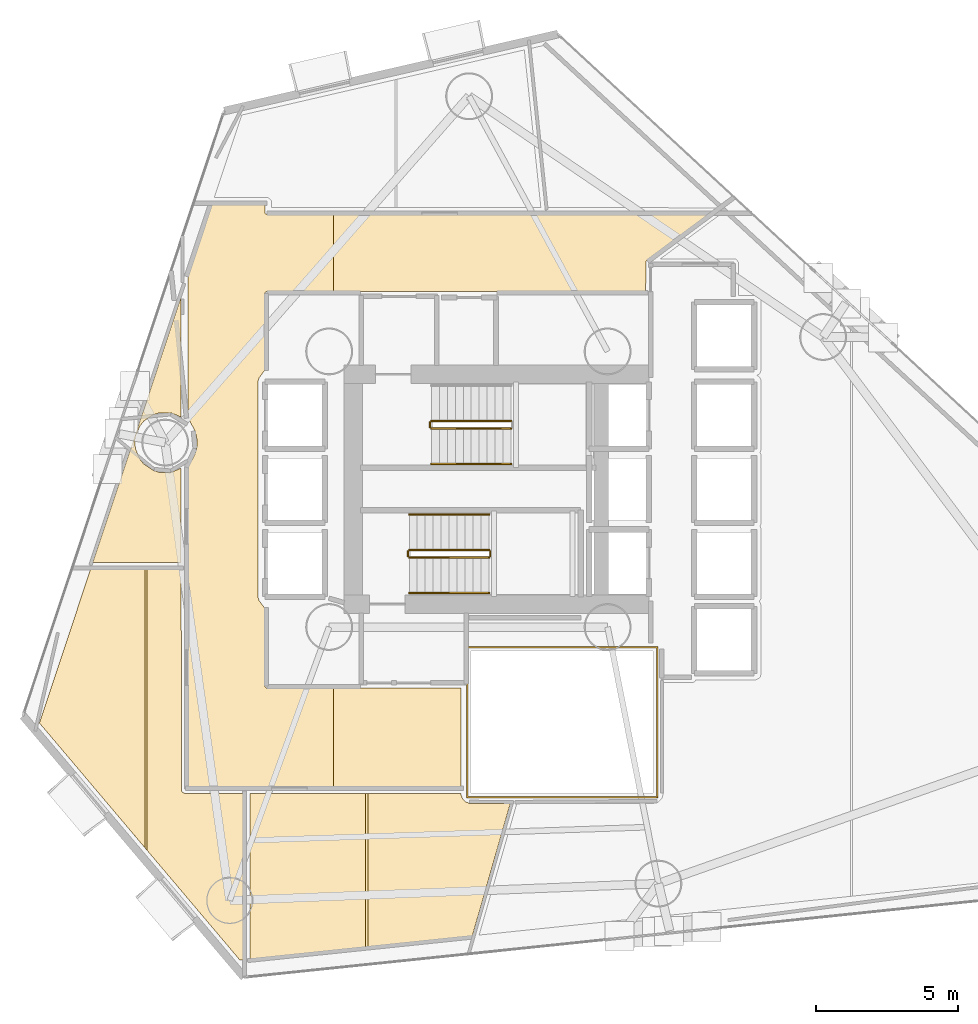
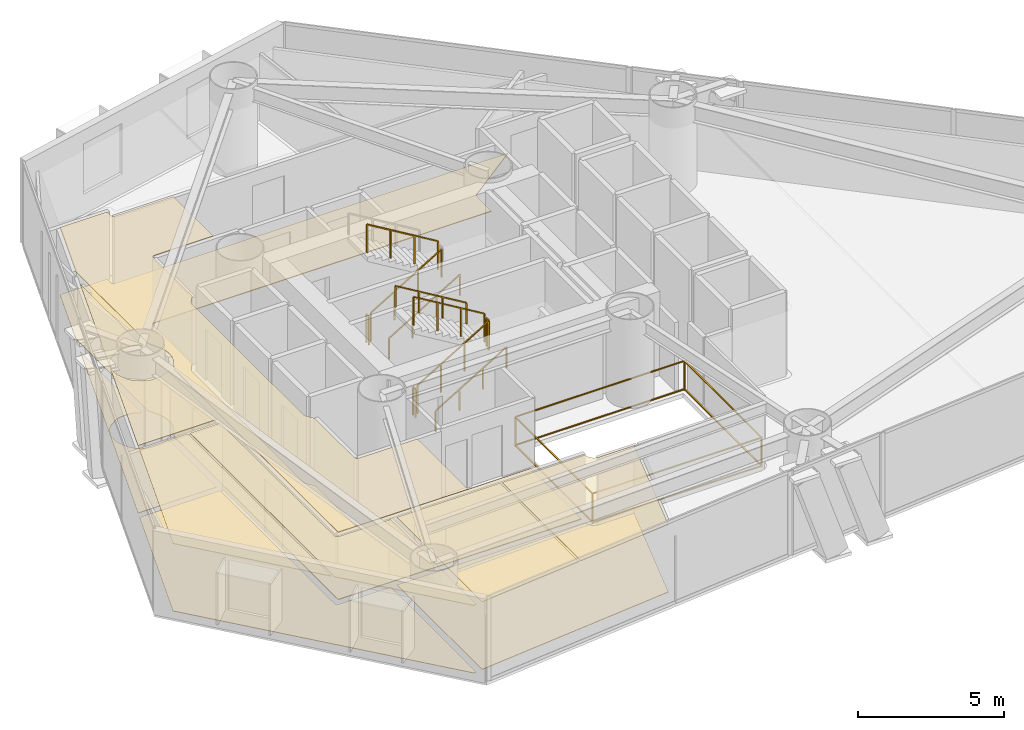
# One storey, part 21 of 23: 11 railings, 10 coverings.
"""IFC4 building model written with IfcOpenShell, lengths in metres."""

from ifc_helpers import new_model, si_unit, direction, frame, origin, origin_2d, place, context, subcontext, project, spatial, polyline, rectangle, outline, extrude, material, layer, layer_set, type_object, element, save


model = new_model("IFC4")

# Units and contexts
model_context = context("Model", 3, precision=1e-05, world=origin(), true_north=direction((0.0, 1.0)))
body_context = subcontext(model_context, "Body", "Model", "MODEL_VIEW")
ifc_project = project(units=[si_unit("LENGTHUNIT", "METRE"), si_unit("AREAUNIT", "SQUARE_METRE"), si_unit("VOLUMEUNIT", "CUBIC_METRE"), si_unit("PLANEANGLEUNIT", "RADIAN"), si_unit("MASSUNIT", "GRAM", prefix="KILO")], contexts=[model_context])

# Site, building, storey
site_placement = place(None, origin())
site = spatial("IfcSite", under=ifc_project, at=site_placement, CompositionType="ELEMENT")
building_placement = place(site_placement, origin())
building = spatial("IfcBuilding", under=site, at=building_placement, Name="Qianvela Tower", CompositionType="ELEMENT")
storey_placement = place(building_placement, frame((0.0, 0.0, 67.300048828125)))
storey = spatial("IfcBuildingStorey", under=building, at=storey_placement, Name="L16", CompositionType="ELEMENT", Elevation=67.300048828125)

# Coverings
ifc_material_1 = material(Name="Perforated Mineral Acoustic Ceiling Tile")
ifc_layer_1 = layer(ifc_material_1, 0.02490234375)
ifc_layer_set_1 = layer_set([ifc_layer_1], Name="Perforated Mineral Acoustic Ceiling Tile")
covering_type_1 = type_object("IfcCoveringType", Name="COV-CEIL-ACOUSTIC-25", PredefinedType="CEILING", material=ifc_layer_set_1)
covering_1_placement = place(storey_placement, frame((0.0, 0.0, 2.81494140625)))
element("IfcCovering", 1, at=covering_1_placement, inside=storey, type_object=covering_type_1, Name="L16 Acoustic Ceiling Bay 1 L16 Floor Corridor", PredefinedType="CEILING", context=body_context, shape_type="SweptSolid", body=[
    extrude(outline(polyline([(23.868408203125, 30.7705078125), (23.864990234375, 30.777587890625), (23.6298828125, 31.21728515625), (23.6298828125, 36.183837890625), (24.4736328125, 38.719970703125), (26.340087890625, 38.719970703125), (26.340087890625, 38.449951171875), (26.34033203125, 38.442138671875), (26.341552734375, 38.434326171875), (26.343505859375, 38.4267578125), (26.34619140625, 38.41943359375), (26.349365234375, 38.412353515625), (26.353515625, 38.405517578125), (26.358154296875, 38.399169921875), (26.36328125, 38.393310546875), (26.369140625, 38.38818359375), (26.37548828125, 38.383544921875), (26.38232421875, 38.37939453125), (26.389404296875, 38.376220703125), (26.396728515625, 38.373291015625), (26.404296875, 38.37158203125), (26.412109375, 38.370361328125), (26.419921875, 38.3701171875), (28.75390625, 38.3701171875), (28.75390625, 35.659912109375), (26.419921875, 35.659912109375), (26.412109375, 35.65966796875), (26.404296875, 35.658447265625), (26.396728515625, 35.656494140625), (26.389404296875, 35.65380859375), (26.38232421875, 35.650634765625), (26.37548828125, 35.646484375), (26.369140625, 35.641845703125), (26.36328125, 35.63671875), (26.358154296875, 35.630859375), (26.353515625, 35.62451171875), (26.349365234375, 35.61767578125), (26.34619140625, 35.610595703125), (26.343505859375, 35.603271484375), (26.341552734375, 35.595703125), (26.34033203125, 35.587890625), (26.340087890625, 35.580078125), (26.340087890625, 32.89599609375), (26.139404296875, 32.62548828125), (26.135498046875, 32.61962890625), (26.132080078125, 32.61376953125), (26.12939453125, 32.607421875), (26.126953125, 32.60107421875), (26.103515625, 32.523193359375), (26.1015625, 32.515625), (26.100341796875, 32.5078125), (26.10009765625, 32.5), (26.10009765625, 24.89990234375), (26.100341796875, 24.89208984375), (26.1015625, 24.884521484375), (26.103515625, 24.876708984375), (26.126953125, 24.799072265625), (26.12939453125, 24.79248046875), (26.132080078125, 24.786376953125), (26.135498046875, 24.7802734375), (26.139404296875, 24.774658203125), (26.340087890625, 24.50390625), (26.340087890625, 21.780029296875), (26.34033203125, 21.772216796875), (26.341552734375, 21.764404296875), (26.343505859375, 21.7568359375), (26.34619140625, 21.74951171875), (26.349365234375, 21.7421875), (26.353515625, 21.735595703125), (26.358154296875, 21.729248046875), (26.36328125, 21.723388671875), (26.369140625, 21.71826171875), (26.37548828125, 21.71337890625), (26.38232421875, 21.70947265625), (26.389404296875, 21.7060546875), (26.396728515625, 21.703369140625), (26.404296875, 21.701416015625), (26.412109375, 21.700439453125), (26.419921875, 21.699951171875), (28.75390625, 21.699951171875), (28.75390625, 18.22998046875), (23.6298828125, 18.22998046875), (23.6298828125, 29.462646484375), (23.864990234375, 29.90234375), (23.868408203125, 29.909423828125), (23.87109375, 29.9169921875), (23.930419921875, 30.11279296875), (23.932373046875, 30.12060546875), (23.93359375, 30.12841796875), (23.95361328125, 30.332275390625), (23.9541015625, 30.340087890625), (23.95361328125, 30.347900390625), (23.93359375, 30.5517578125), (23.932373046875, 30.5595703125), (23.930419921875, 30.567138671875), (23.87109375, 30.76318359375), (23.868408203125, 30.7705078125)])), origin(), (0.0, 0.0, 1.0), 0.02490234375),
])
covering_2_placement = place(storey_placement, frame((0.0, 0.0, 2.81494140625)))
element("IfcCovering", 2, at=covering_2_placement, inside=storey, type_object=covering_type_1, Name="L16 Acoustic Ceiling Bay 1 Debate Lecture Classroom L16-01", PredefinedType="CEILING", context=body_context, shape_type="SweptSolid", body=[
    extrude(outline(polyline([(18.4033203125, 20.472412109375), (20.20166015625, 25.8779296875), (22.115966796875, 25.8779296875), (22.115966796875, 16.081298828125), (18.4033203125, 20.472412109375)])), origin(), (0.0, 0.0, 1.0), 0.02490234375),
])
covering_3_placement = place(storey_placement, frame((0.0, 0.0, 2.81494140625)))
element("IfcCovering", 3, at=covering_3_placement, inside=storey, type_object=covering_type_1, Name="L16 Acoustic Ceiling Bay 2 Debate Lecture Classroom L16-01", PredefinedType="CEILING", context=body_context, shape_type="SweptSolid", body=[
    extrude(outline(polyline([(23.408203125, 18.09912109375), (23.40869140625, 18.0908203125), (23.409912109375, 18.082763671875), (23.412109375, 18.074951171875), (23.414794921875, 18.067138671875), (23.41845703125, 18.059814453125), (23.4228515625, 18.052978515625), (23.427978515625, 18.04638671875), (23.43359375, 18.040771484375), (23.43994140625, 18.035400390625), (23.44677734375, 18.03076171875), (23.4541015625, 18.02685546875), (23.515869140625, 17.997802734375), (23.52392578125, 17.994384765625), (23.532470703125, 17.991943359375), (23.541259765625, 17.990478515625), (23.550048828125, 17.989990234375), (25.569580078125, 17.989990234375), (25.569580078125, 12.14208984375), (25.456298828125, 12.13037109375), (22.196044921875, 15.986572265625), (22.196044921875, 25.8779296875), (23.39013671875, 25.8779296875), (23.408203125, 18.09912109375)])), origin(), (0.0, 0.0, 1.0), 0.02490234375),
])
covering_4_placement = place(storey_placement, frame((0.0, 0.0, 2.81494140625)))
element("IfcCovering", 4, at=covering_4_placement, inside=storey, type_object=covering_type_1, Name="L16 Acoustic Ceiling Bay 1 Graduate Seminar Classroom L16-02", PredefinedType="CEILING", context=body_context, shape_type="SweptSolid", body=[
    extrude(outline(polyline([(25.813720703125, 12.16748046875), (25.813720703125, 17.989990234375), (29.885009765625, 17.989990234375), (29.885009765625, 12.592041015625), (25.813720703125, 12.16748046875)])), origin(), (0.0, 0.0, 1.0), 0.02490234375),
])
covering_5_placement = place(storey_placement, frame((0.0, 0.0, 2.81494140625)))
element("IfcCovering", 5, at=covering_5_placement, inside=storey, type_object=covering_type_1, Name="L16 Acoustic Ceiling Bay 2 Graduate Seminar Classroom L16-02", PredefinedType="CEILING", context=body_context, shape_type="SweptSolid", body=[
    extrude(outline(polyline([(33.24609375, 17.93505859375), (33.247314453125, 17.927978515625), (33.2490234375, 17.92138671875), (33.25146484375, 17.914794921875), (33.293212890625, 17.813720703125), (33.296630859375, 17.806640625), (33.30078125, 17.800048828125), (33.305419921875, 17.793701171875), (33.310546875, 17.787841796875), (33.387939453125, 17.710693359375), (33.393798828125, 17.705322265625), (33.39990234375, 17.70068359375), (33.40673828125, 17.696533203125), (33.413818359375, 17.693359375), (33.514892578125, 17.651611328125), (33.522216796875, 17.648681640625), (33.529541015625, 17.64697265625), (33.537353515625, 17.645751953125), (33.545166015625, 17.6455078125), (34.97607421875, 17.640380859375), (33.640625, 12.98388671875), (29.965087890625, 12.6005859375), (29.965087890625, 17.989990234375), (33.243408203125, 17.989990234375), (33.24560546875, 17.94189453125), (33.24609375, 17.93505859375)])), origin(), (0.0, 0.0, 1.0), 0.02490234375),
])
covering_6_placement = place(storey_placement, frame((0.0, 0.0, 2.81494140625)))
element("IfcCovering", 6, at=covering_6_placement, inside=storey, type_object=covering_type_1, Name="L16 Acoustic Ceiling Campus Convenience Shop L16-05", PredefinedType="CEILING", context=body_context, shape_type="SweptSolid", body=[
    extrude(outline(polyline([(23.390380859375, 29.440185546875), (23.389892578125, 26.1220703125), (20.28271484375, 26.1220703125), (23.389892578125, 35.46240234375), (23.390380859375, 31.23974609375), (23.0517578125, 31.3798828125), (23.04443359375, 31.382568359375), (23.036865234375, 31.384521484375), (23.029052734375, 31.3857421875), (23.021240234375, 31.385986328125), (22.63671875, 31.385986328125), (22.62890625, 31.3857421875), (22.62109375, 31.384521484375), (22.613525390625, 31.382568359375), (22.4287109375, 31.32666015625), (22.42138671875, 31.323974609375), (22.414306640625, 31.320556640625), (22.40771484375, 31.31640625), (22.088134765625, 31.10302734375), (22.081787109375, 31.098388671875), (22.075927734375, 31.093017578125), (22.07080078125, 31.08740234375), (21.9482421875, 30.93798828125), (21.943603515625, 30.931640625), (21.939453125, 30.9248046875), (21.93603515625, 30.91796875), (21.7890625, 30.562744140625), (21.786376953125, 30.555419921875), (21.784423828125, 30.5478515625), (21.783203125, 30.5400390625), (21.764404296875, 30.347900390625), (21.763916015625, 30.340087890625), (21.764404296875, 30.332275390625), (21.783203125, 30.139892578125), (21.784423828125, 30.132080078125), (21.786376953125, 30.12451171875), (21.7890625, 30.1171875), (21.93603515625, 29.76220703125), (21.939453125, 29.755126953125), (21.943603515625, 29.748291015625), (21.9482421875, 29.741943359375), (22.07080078125, 29.5927734375), (22.075927734375, 29.5869140625), (22.081787109375, 29.581787109375), (22.088134765625, 29.576904296875), (22.40771484375, 29.363525390625), (22.414306640625, 29.359375), (22.42138671875, 29.356201171875), (22.4287109375, 29.353515625), (22.613525390625, 29.29736328125), (22.62109375, 29.29541015625), (22.62890625, 29.294189453125), (22.63671875, 29.2939453125), (23.021240234375, 29.2939453125), (23.029052734375, 29.294189453125), (23.036865234375, 29.29541015625), (23.04443359375, 29.29736328125), (23.0517578125, 29.300048828125), (23.390380859375, 29.440185546875)])), origin(), (0.0, 0.0, 1.0), 0.02490234375),
])
ifc_material_2 = material(Name="Engineered Acoustic Oak Timber Flooring", Category="wood")
ifc_layer_2 = layer(ifc_material_2, 0.02001953125)
ifc_layer_set_2 = layer_set([ifc_layer_2], Name="Engineered Acoustic Oak Timber Flooring")
covering_type_2 = type_object("IfcCoveringType", Name="COV-FLOOR-OAK-20", PredefinedType="FLOORING", material=ifc_layer_set_2)
covering_7_placement = place(storey_placement, origin())
element("IfcCovering", 7, at=covering_7_placement, inside=storey, type_object=covering_type_2, Name="L16 Finish Flooring Debate Lecture Classroom L16-01", PredefinedType="FLOORING", context=body_context, shape_type="SweptSolid", body=[
    extrude(outline(polyline([(23.39013671875, 25.8779296875), (23.408203125, 18.09912109375), (23.40869140625, 18.0908203125), (23.409912109375, 18.082763671875), (23.412109375, 18.074951171875), (23.414794921875, 18.067138671875), (23.41845703125, 18.059814453125), (23.4228515625, 18.052978515625), (23.427978515625, 18.04638671875), (23.43359375, 18.040771484375), (23.43994140625, 18.035400390625), (23.44677734375, 18.03076171875), (23.4541015625, 18.02685546875), (23.515869140625, 17.997802734375), (23.52392578125, 17.994384765625), (23.532470703125, 17.991943359375), (23.541259765625, 17.990478515625), (23.550048828125, 17.989990234375), (25.569580078125, 17.989990234375), (25.569580078125, 12.14208984375), (25.456298828125, 12.13037109375), (18.4033203125, 20.472412109375), (20.20166015625, 25.8779296875), (23.39013671875, 25.8779296875)])), origin(), (0.0, 0.0, 1.0), 0.02001953125),
])
covering_8_placement = place(storey_placement, origin())
element("IfcCovering", 8, at=covering_8_placement, inside=storey, type_object=covering_type_2, Name="L16 Finish Flooring Graduate Seminar Classroom L16-02", PredefinedType="FLOORING", context=body_context, shape_type="SweptSolid", body=[
    extrude(outline(polyline([(33.24560546875, 17.94189453125), (33.24609375, 17.93505859375), (33.247314453125, 17.927978515625), (33.2490234375, 17.92138671875), (33.25146484375, 17.914794921875), (33.293212890625, 17.813720703125), (33.296630859375, 17.806640625), (33.30078125, 17.800048828125), (33.305419921875, 17.793701171875), (33.310546875, 17.787841796875), (33.387939453125, 17.710693359375), (33.393798828125, 17.705322265625), (33.39990234375, 17.70068359375), (33.40673828125, 17.696533203125), (33.413818359375, 17.693359375), (33.514892578125, 17.651611328125), (33.522216796875, 17.648681640625), (33.529541015625, 17.64697265625), (33.537353515625, 17.645751953125), (33.545166015625, 17.6455078125), (34.97607421875, 17.640380859375), (33.640625, 12.98388671875), (25.813720703125, 12.16748046875), (25.813720703125, 17.989990234375), (33.243408203125, 17.989990234375), (33.24560546875, 17.94189453125)])), origin(), (0.0, 0.0, 1.0), 0.02001953125),
])
covering_9_placement = place(storey_placement, origin())
element("IfcCovering", 9, at=covering_9_placement, inside=storey, type_object=covering_type_2, Name="L16 Finish Flooring Campus Convenience Shop L16-05", PredefinedType="FLOORING", context=body_context, shape_type="SweptSolid", body=[
    extrude(outline(polyline([(23.390380859375, 29.440185546875), (23.389892578125, 26.1220703125), (20.28271484375, 26.1220703125), (23.389892578125, 35.46240234375), (23.390380859375, 31.23974609375), (23.0517578125, 31.3798828125), (23.04443359375, 31.382568359375), (23.036865234375, 31.384521484375), (23.029052734375, 31.3857421875), (23.021240234375, 31.385986328125), (22.63671875, 31.385986328125), (22.62890625, 31.3857421875), (22.62109375, 31.384521484375), (22.613525390625, 31.382568359375), (22.4287109375, 31.32666015625), (22.42138671875, 31.323974609375), (22.414306640625, 31.320556640625), (22.40771484375, 31.31640625), (22.088134765625, 31.10302734375), (22.081787109375, 31.098388671875), (22.075927734375, 31.093017578125), (22.07080078125, 31.08740234375), (21.9482421875, 30.93798828125), (21.943603515625, 30.931640625), (21.939453125, 30.9248046875), (21.93603515625, 30.91796875), (21.7890625, 30.562744140625), (21.786376953125, 30.555419921875), (21.784423828125, 30.5478515625), (21.783203125, 30.5400390625), (21.764404296875, 30.347900390625), (21.763916015625, 30.340087890625), (21.764404296875, 30.332275390625), (21.783203125, 30.139892578125), (21.784423828125, 30.132080078125), (21.786376953125, 30.12451171875), (21.7890625, 30.1171875), (21.93603515625, 29.76220703125), (21.939453125, 29.755126953125), (21.943603515625, 29.748291015625), (21.9482421875, 29.741943359375), (22.07080078125, 29.5927734375), (22.075927734375, 29.5869140625), (22.081787109375, 29.581787109375), (22.088134765625, 29.576904296875), (22.40771484375, 29.363525390625), (22.414306640625, 29.359375), (22.42138671875, 29.356201171875), (22.4287109375, 29.353515625), (22.613525390625, 29.29736328125), (22.62109375, 29.29541015625), (22.62890625, 29.294189453125), (22.63671875, 29.2939453125), (23.021240234375, 29.2939453125), (23.029052734375, 29.294189453125), (23.036865234375, 29.29541015625), (23.04443359375, 29.29736328125), (23.0517578125, 29.300048828125), (23.390380859375, 29.440185546875)])), origin(), (0.0, 0.0, 1.0), 0.02001953125),
])
ifc_material_3 = material(Name="Honed Stone Terrazzo Flooring", Category="masonry")
ifc_layer_3 = layer(ifc_material_3, 0.030029296875)
ifc_layer_set_3 = layer_set([ifc_layer_3], Name="Honed Stone Terrazzo Flooring")
covering_type_3 = type_object("IfcCoveringType", Name="COV-FLOOR-TERRAZZO-30", PredefinedType="FLOORING", material=ifc_layer_set_3)
covering_10_placement = place(storey_placement, origin())
element("IfcCovering", 10, at=covering_10_placement, inside=storey, type_object=covering_type_3, Name="L16 Finish Flooring L16 Floor Corridor", PredefinedType="FLOORING", context=body_context, shape_type="SweptSolid", body=[
    extrude(outline(polyline([(23.87109375, 30.76318359375), (23.868408203125, 30.7705078125), (23.864990234375, 30.777587890625), (23.6298828125, 31.21728515625), (23.6298828125, 36.183837890625), (24.4736328125, 38.719970703125), (26.340087890625, 38.719970703125), (26.340087890625, 38.449951171875), (26.34033203125, 38.442138671875), (26.341552734375, 38.434326171875), (26.343505859375, 38.4267578125), (26.34619140625, 38.41943359375), (26.349365234375, 38.412353515625), (26.353515625, 38.405517578125), (26.358154296875, 38.399169921875), (26.36328125, 38.393310546875), (26.369140625, 38.38818359375), (26.37548828125, 38.383544921875), (26.38232421875, 38.37939453125), (26.389404296875, 38.376220703125), (26.396728515625, 38.373291015625), (26.404296875, 38.37158203125), (26.412109375, 38.370361328125), (26.419921875, 38.3701171875), (41.961181640625, 38.3701171875), (39.784423828125, 36.753662109375), (39.778076171875, 36.748291015625), (39.772216796875, 36.742431640625), (39.76708984375, 36.736083984375), (39.7626953125, 36.729248046875), (39.759033203125, 36.721923828125), (39.756103515625, 36.71435546875), (39.75390625, 36.70654296875), (39.752685546875, 36.698486328125), (39.752197265625, 36.690185546875), (39.739013671875, 35.659912109375), (26.419921875, 35.659912109375), (26.412109375, 35.65966796875), (26.404296875, 35.658447265625), (26.396728515625, 35.656494140625), (26.389404296875, 35.65380859375), (26.38232421875, 35.650634765625), (26.37548828125, 35.646484375), (26.369140625, 35.641845703125), (26.36328125, 35.63671875), (26.358154296875, 35.630859375), (26.353515625, 35.62451171875), (26.349365234375, 35.61767578125), (26.34619140625, 35.610595703125), (26.343505859375, 35.603271484375), (26.341552734375, 35.595703125), (26.34033203125, 35.587890625), (26.340087890625, 35.580078125), (26.340087890625, 32.89599609375), (26.139404296875, 32.62548828125), (26.135498046875, 32.61962890625), (26.132080078125, 32.61376953125), (26.12939453125, 32.607421875), (26.126953125, 32.60107421875), (26.103515625, 32.523193359375), (26.1015625, 32.515625), (26.100341796875, 32.5078125), (26.10009765625, 32.5), (26.10009765625, 24.89990234375), (26.100341796875, 24.89208984375), (26.1015625, 24.884521484375), (26.103515625, 24.876708984375), (26.126953125, 24.799072265625), (26.12939453125, 24.79248046875), (26.132080078125, 24.786376953125), (26.135498046875, 24.7802734375), (26.139404296875, 24.774658203125), (26.340087890625, 24.50390625), (26.340087890625, 21.780029296875), (26.34033203125, 21.772216796875), (26.341552734375, 21.764404296875), (26.343505859375, 21.7568359375), (26.34619140625, 21.74951171875), (26.349365234375, 21.7421875), (26.353515625, 21.735595703125), (26.358154296875, 21.729248046875), (26.36328125, 21.723388671875), (26.369140625, 21.71826171875), (26.37548828125, 21.71337890625), (26.38232421875, 21.70947265625), (26.389404296875, 21.7060546875), (26.396728515625, 21.703369140625), (26.404296875, 21.701416015625), (26.412109375, 21.700439453125), (26.419921875, 21.699951171875), (33.239990234375, 21.699951171875), (33.239990234375, 18.22998046875), (23.6298828125, 18.22998046875), (23.6298828125, 29.462646484375), (23.864990234375, 29.90234375), (23.868408203125, 29.909423828125), (23.87109375, 29.9169921875), (23.930419921875, 30.11279296875), (23.932373046875, 30.12060546875), (23.93359375, 30.12841796875), (23.95361328125, 30.332275390625), (23.9541015625, 30.340087890625), (23.95361328125, 30.347900390625), (23.93359375, 30.5517578125), (23.932373046875, 30.5595703125), (23.930419921875, 30.567138671875), (23.87109375, 30.76318359375)])), origin(), (0.0, 0.0, 1.0), 0.030029296875),
])

# Railings
ifc_material_4 = material(Name="Laminated Safety Glass and Stainless Steel 316", Category="steel")
railing_type_1 = type_object("IfcRailingType", Name="RL-ATRIUM-GUARD-1250", PredefinedType="GUARDRAIL", material=ifc_material_4)
railing_1_placement = place(storey_placement, frame((33.4599609375, 17.860107421875, 0.0)))
element("IfcRailing", 11, at=railing_1_placement, inside=storey, type_object=railing_type_1, Name="L16 Atrium Edge Guardrail 1", PredefinedType="GUARDRAIL", context=body_context, shape_type="SweptSolid", body=[
    extrude(rectangle(XDim=0.050048828125, YDim=0.0400390625, at=origin_2d()), frame((0.0, 0.0, 1.22998046875), z_axis=(0.0, 1.0, 0.0), x_axis=(-1.0, 0.0, 0.0)), (0.0, 0.0, 1.0), 5.27978515625),
    extrude(rectangle(XDim=0.050048828125, YDim=0.0400390625, at=origin_2d()), frame((0.0, 0.0, 0.050048828125), z_axis=(0.0, 1.0, 0.0), x_axis=(-1.0, 0.0, 0.0)), (0.0, 0.0, 1.0), 5.27978515625),
    extrude(rectangle(XDim=0.050048828125, YDim=0.0400390625, at=origin_2d()), frame((0.0, 5.27978515625, 1.22998046875), z_axis=(1.0, 0.0, 0.0), x_axis=(0.0, 1.0, 0.0)), (0.0, 0.0, 1.0), 6.679931640625),
    extrude(rectangle(XDim=0.050048828125, YDim=0.0400390625, at=origin_2d()), frame((0.0, 5.27978515625, 0.050048828125), z_axis=(1.0, 0.0, 0.0), x_axis=(0.0, 1.0, 0.0)), (0.0, 0.0, 1.0), 6.679931640625),
    extrude(rectangle(XDim=0.050048828125, YDim=0.0400390625, at=origin_2d()), frame((6.679931640625, 5.27978515625, 1.22998046875), z_axis=(0.0, -1.0, 0.0), x_axis=(1.0, 0.0, 0.0)), (0.0, 0.0, 1.0), 5.27978515625),
    extrude(rectangle(XDim=0.050048828125, YDim=0.0400390625, at=origin_2d()), frame((6.679931640625, 5.27978515625, 0.050048828125), z_axis=(0.0, -1.0, 0.0), x_axis=(1.0, 0.0, 0.0)), (0.0, 0.0, 1.0), 5.27978515625),
    extrude(rectangle(XDim=0.050048828125, YDim=0.0400390625, at=origin_2d()), frame((6.679931640625, 0.0, 1.22998046875), z_axis=(-1.0, 0.0, 0.0), x_axis=(0.0, -1.0, 0.0)), (0.0, 0.0, 1.0), 6.679931640625),
    extrude(rectangle(XDim=0.050048828125, YDim=0.0400390625, at=origin_2d()), frame((6.679931640625, 0.0, 0.050048828125), z_axis=(-1.0, 0.0, 0.0), x_axis=(0.0, -1.0, 0.0)), (0.0, 0.0, 1.0), 6.679931640625),
    extrude(rectangle(XDim=0.050048828125, YDim=0.050048828125, at=origin_2d()), origin(), (0.0, 0.0, 1.0), 1.2099609375),
    extrude(rectangle(XDim=0.050048828125, YDim=0.050048828125, at=origin_2d()), frame((0.0, 5.27978515625, 0.0)), (0.0, 0.0, 1.0), 1.2099609375),
    extrude(rectangle(XDim=0.050048828125, YDim=0.050048828125, at=origin_2d()), frame((6.679931640625, 5.27978515625, 0.0)), (0.0, 0.0, 1.0), 1.2099609375),
    extrude(rectangle(XDim=0.050048828125, YDim=0.050048828125, at=origin_2d()), frame((6.679931640625, 0.0, 0.0)), (0.0, 0.0, 1.0), 1.2099609375),
])
ifc_material_5 = material(Name="Painted Tubular Steel Q355B", Category="steel")
railing_type_2 = type_object("IfcRailingType", Name="RL-STAIR-GUARD-1200", PredefinedType="GUARDRAIL", material=ifc_material_5)
railing_2_placement = place(storey_placement, frame((32.199951171875, 30.840087890625, 0.168212890625)))
element("IfcRailing", 12, at=railing_2_placement, inside=storey, type_object=railing_type_2, Name="L16 ST-1 stair guard 1", PredefinedType="GUARDRAIL", context=body_context, shape_type="SweptSolid", body=[
    extrude(rectangle(XDim=0.050048828125, YDim=0.0400390625, at=origin_2d()), frame((0.0, 0.0, 1.179931640625), z_axis=(0.857275202839, 0.0, 0.514858452973), x_axis=(0.0, 1.0, 0.0)), (0.0, 0.0, 1.0), 3.26611328125),
    extrude(rectangle(XDim=0.050048828125, YDim=0.050048828125, at=origin_2d()), origin(), (0.0, 0.0, 1.0), 1.159912109375),
    extrude(rectangle(XDim=0.050048828125, YDim=0.050048828125, at=origin_2d()), frame((0.933349609375, 0.0, 0.560546875)), (0.0, 0.0, 1.0), 1.159912109375),
    extrude(rectangle(XDim=0.050048828125, YDim=0.050048828125, at=origin_2d()), frame((1.86669921875, 0.0, 1.12109375)), (0.0, 0.0, 1.0), 1.159912109375),
    extrude(rectangle(XDim=0.050048828125, YDim=0.050048828125, at=origin_2d()), frame((2.800048828125, 0.0, 1.681640625)), (0.0, 0.0, 1.0), 1.159912109375),
])
railing_3_placement = place(storey_placement, frame((35.0, 31.10009765625, 2.01806640625)))
element("IfcRailing", 13, at=railing_3_placement, inside=storey, type_object=railing_type_2, Name="L16 ST-1 stair guard 3", PredefinedType="GUARDRAIL", context=body_context, shape_type="SweptSolid", body=[
    extrude(rectangle(XDim=0.050048828125, YDim=0.0400390625, at=origin_2d()), frame((0.0, 0.0, 1.179931640625), z_axis=(-0.857242210791, 0.0, 0.514913383045), x_axis=(0.0, -1.0, 0.0)), (0.0, 0.0, 1.0), 3.266357421875),
    extrude(rectangle(XDim=0.050048828125, YDim=0.050048828125, at=origin_2d()), origin(), (0.0, 0.0, 1.0), 1.159912109375),
    extrude(rectangle(XDim=0.050048828125, YDim=0.050048828125, at=origin_2d()), frame((-0.933349609375, 0.0, 0.560546875)), (0.0, 0.0, 1.0), 1.159912109375),
    extrude(rectangle(XDim=0.050048828125, YDim=0.050048828125, at=origin_2d()), frame((-1.86669921875, 0.0, 1.121337890625)), (0.0, 0.0, 1.0), 1.159912109375),
    extrude(rectangle(XDim=0.050048828125, YDim=0.050048828125, at=origin_2d()), frame((-2.800048828125, 0.0, 1.681884765625)), (0.0, 0.0, 1.0), 1.159912109375),
])
railing_4_placement = place(storey_placement, frame((32.14990234375, 30.889892578125, 0.0)))
element("IfcRailing", 14, at=railing_4_placement, inside=storey, type_object=railing_type_2, Name="L16 ST-1 stair guard 4", PredefinedType="GUARDRAIL", context=body_context, shape_type="SweptSolid", body=[
    extrude(rectangle(XDim=0.050048828125, YDim=0.0400390625, at=origin_2d()), frame((0.0, 0.0, 1.179931640625), z_axis=(0.0, 1.0, 0.0), x_axis=(-1.0, 0.0, 0.0)), (0.0, 0.0, 1.0), 0.16015625),
    extrude(rectangle(XDim=0.050048828125, YDim=0.050048828125, at=origin_2d()), origin(), (0.0, 0.0, 1.0), 1.159912109375),
    extrude(rectangle(XDim=0.050048828125, YDim=0.050048828125, at=origin_2d()), frame((0.0, 0.16015625, 0.0)), (0.0, 0.0, 1.0), 1.159912109375),
])
railing_5_placement = place(storey_placement, frame((31.419921875, 26.300048828125, 0.168212890625)))
element("IfcRailing", 15, at=railing_5_placement, inside=storey, type_object=railing_type_2, Name="L16 ST-2 stair guard 1", PredefinedType="GUARDRAIL", context=body_context, shape_type="SweptSolid", body=[
    extrude(rectangle(XDim=0.050048828125, YDim=0.0400390625, at=origin_2d()), frame((0.0, 0.0, 1.179931640625), z_axis=(0.857275202839, 0.0, 0.514858452973), x_axis=(0.0, 1.0, 0.0)), (0.0, 0.0, 1.0), 3.26611328125),
    extrude(rectangle(XDim=0.050048828125, YDim=0.050048828125, at=origin_2d()), origin(), (0.0, 0.0, 1.0), 1.159912109375),
    extrude(rectangle(XDim=0.050048828125, YDim=0.050048828125, at=origin_2d()), frame((0.933349609375, 0.0, 0.560546875)), (0.0, 0.0, 1.0), 1.159912109375),
    extrude(rectangle(XDim=0.050048828125, YDim=0.050048828125, at=origin_2d()), frame((1.86669921875, 0.0, 1.12109375)), (0.0, 0.0, 1.0), 1.159912109375),
    extrude(rectangle(XDim=0.050048828125, YDim=0.050048828125, at=origin_2d()), frame((2.800048828125, 0.0, 1.681640625)), (0.0, 0.0, 1.0), 1.159912109375),
])
railing_6_placement = place(storey_placement, frame((34.27001953125, 26.35009765625, 1.849853515625)))
element("IfcRailing", 16, at=railing_6_placement, inside=storey, type_object=railing_type_2, Name="L16 ST-2 stair guard 2", PredefinedType="GUARDRAIL", context=body_context, shape_type="SweptSolid", body=[
    extrude(rectangle(XDim=0.050048828125, YDim=0.0400390625, at=origin_2d()), frame((0.0, 0.0, 1.179931640625), z_axis=(0.0, 1.0, 0.0), x_axis=(-1.0, 0.0, 0.0)), (0.0, 0.0, 1.0), 0.159912109375),
    extrude(rectangle(XDim=0.050048828125, YDim=0.050048828125, at=origin_2d()), origin(), (0.0, 0.0, 1.0), 1.159912109375),
    extrude(rectangle(XDim=0.050048828125, YDim=0.050048828125, at=origin_2d()), frame((0.0, 0.159912109375, 0.0)), (0.0, 0.0, 1.0), 1.159912109375),
])
railing_7_placement = place(storey_placement, frame((34.219970703125, 26.56005859375, 2.01806640625)))
element("IfcRailing", 17, at=railing_7_placement, inside=storey, type_object=railing_type_2, Name="L16 ST-2 stair guard 3", PredefinedType="GUARDRAIL", context=body_context, shape_type="SweptSolid", body=[
    extrude(rectangle(XDim=0.050048828125, YDim=0.0400390625, at=origin_2d()), frame((0.0, 0.0, 1.179931640625), z_axis=(-0.857242210791, 0.0, 0.514913383045), x_axis=(0.0, -1.0, 0.0)), (0.0, 0.0, 1.0), 3.266357421875),
    extrude(rectangle(XDim=0.050048828125, YDim=0.050048828125, at=origin_2d()), origin(), (0.0, 0.0, 1.0), 1.159912109375),
    extrude(rectangle(XDim=0.050048828125, YDim=0.050048828125, at=origin_2d()), frame((-0.933349609375, 0.0, 0.560546875)), (0.0, 0.0, 1.0), 1.159912109375),
    extrude(rectangle(XDim=0.050048828125, YDim=0.050048828125, at=origin_2d()), frame((-1.86669921875, 0.0, 1.121337890625)), (0.0, 0.0, 1.0), 1.159912109375),
    extrude(rectangle(XDim=0.050048828125, YDim=0.050048828125, at=origin_2d()), frame((-2.800048828125, 0.0, 1.681884765625)), (0.0, 0.0, 1.0), 1.159912109375),
])
railing_8_placement = place(storey_placement, frame((31.3701171875, 26.35009765625, 0.0)))
element("IfcRailing", 18, at=railing_8_placement, inside=storey, type_object=railing_type_2, Name="L16 ST-2 stair guard 4", PredefinedType="GUARDRAIL", context=body_context, shape_type="SweptSolid", body=[
    extrude(rectangle(XDim=0.050048828125, YDim=0.0400390625, at=origin_2d()), frame((0.0, 0.0, 1.179931640625), z_axis=(0.0, 1.0, 0.0), x_axis=(-1.0, 0.0, 0.0)), (0.0, 0.0, 1.0), 0.159912109375),
    extrude(rectangle(XDim=0.050048828125, YDim=0.050048828125, at=origin_2d()), origin(), (0.0, 0.0, 1.0), 1.159912109375),
    extrude(rectangle(XDim=0.050048828125, YDim=0.050048828125, at=origin_2d()), frame((0.0, 0.159912109375, 0.0)), (0.0, 0.0, 1.0), 1.159912109375),
])
ifc_material_6 = material(Name="Brushed Stainless Steel 304", Category="steel")
railing_type_3 = type_object("IfcRailingType", Name="RL-STAIR-HANDRAIL-900", PredefinedType="HANDRAIL", material=ifc_material_6)
for number, where, name in (
    (19, (32.199951171875, 29.590087890625, 0.168212890625), "L16 ST-1 stair handrail 1"),
    (20, (31.419921875, 25.050048828125, 0.168212890625), "L16 ST-2 stair handrail 1"),
):
    element("IfcRailing", number, at=place(storey_placement, frame(where)), inside=storey, type_object=railing_type_3, Name=name, PredefinedType="HANDRAIL", context=body_context, shape_type="SweptSolid", body=[
        extrude(rectangle(XDim=0.050048828125, YDim=0.0400390625, at=origin_2d()), frame((0.0, 0.0, 0.8798828125), z_axis=(0.857275202839, 0.0, 0.514858452973), x_axis=(0.0, 1.0, 0.0)), (0.0, 0.0, 1.0), 3.26611328125),
        extrude(rectangle(XDim=0.050048828125, YDim=0.050048828125, at=origin_2d()), origin(), (0.0, 0.0, 1.0), 0.85986328125),
        extrude(rectangle(XDim=0.050048828125, YDim=0.050048828125, at=origin_2d()), frame((0.933349609375, 0.0, 0.560546875)), (0.0, 0.0, 1.0), 0.85986328125),
        extrude(rectangle(XDim=0.050048828125, YDim=0.050048828125, at=origin_2d()), frame((1.86669921875, 0.0, 1.12109375)), (0.0, 0.0, 1.0), 0.85986328125),
        extrude(rectangle(XDim=0.050048828125, YDim=0.050048828125, at=origin_2d()), frame((2.800048828125, 0.0, 1.681640625)), (0.0, 0.0, 1.0), 0.85986328125),
    ])
railing_9_placement = place(storey_placement, frame((34.219970703125, 27.81005859375, 2.01806640625)))
element("IfcRailing", 21, at=railing_9_placement, inside=storey, type_object=railing_type_3, Name="L16 ST-2 stair handrail 2", PredefinedType="HANDRAIL", context=body_context, shape_type="SweptSolid", body=[
    extrude(rectangle(XDim=0.050048828125, YDim=0.0400390625, at=origin_2d()), frame((0.0, 0.0, 0.8798828125), z_axis=(-0.857242210791, 0.0, 0.514913383045), x_axis=(0.0, -1.0, 0.0)), (0.0, 0.0, 1.0), 3.266357421875),
    extrude(rectangle(XDim=0.050048828125, YDim=0.050048828125, at=origin_2d()), origin(), (0.0, 0.0, 1.0), 0.85986328125),
    extrude(rectangle(XDim=0.050048828125, YDim=0.050048828125, at=origin_2d()), frame((-0.933349609375, 0.0, 0.560546875)), (0.0, 0.0, 1.0), 0.85986328125),
    extrude(rectangle(XDim=0.050048828125, YDim=0.050048828125, at=origin_2d()), frame((-1.86669921875, 0.0, 1.121337890625)), (0.0, 0.0, 1.0), 0.85986328125),
    extrude(rectangle(XDim=0.050048828125, YDim=0.050048828125, at=origin_2d()), frame((-2.800048828125, 0.0, 1.681884765625)), (0.0, 0.0, 1.0), 0.85986328125),
])

save(model, "model.ifc")
